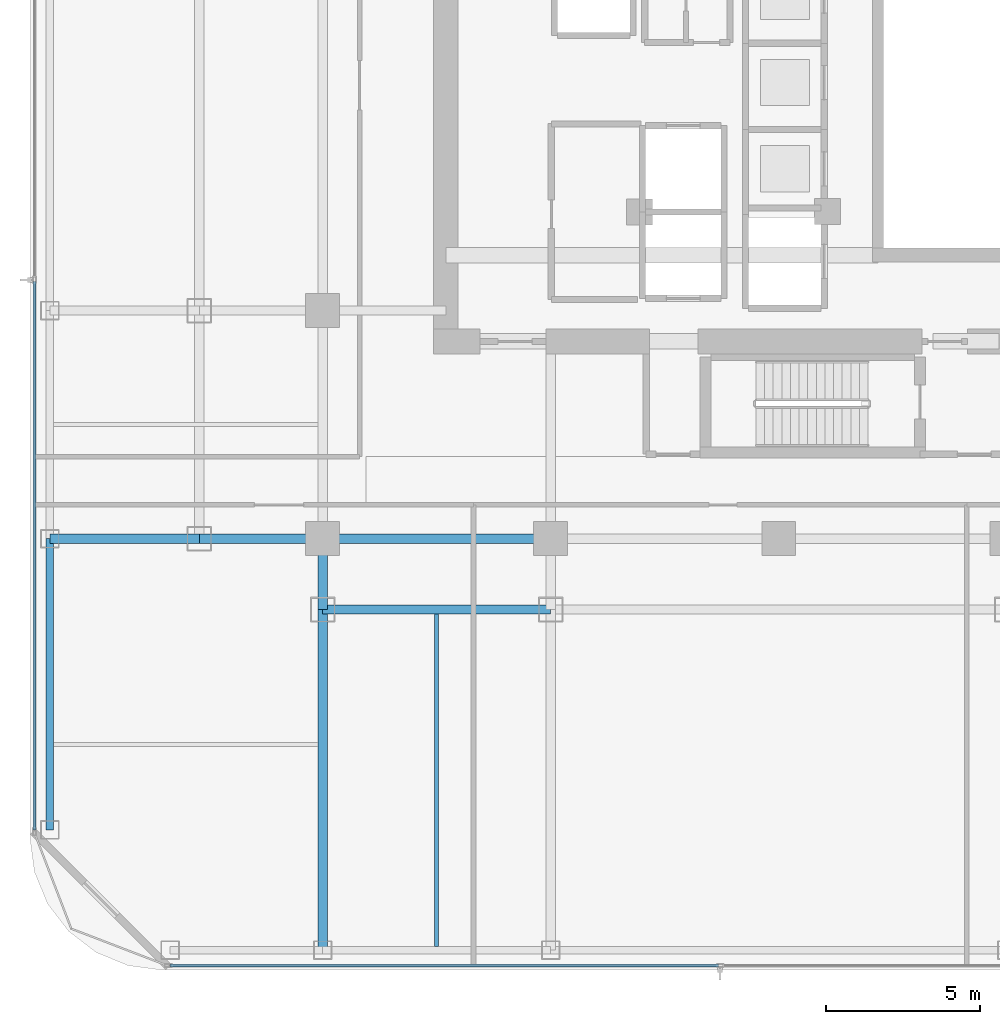
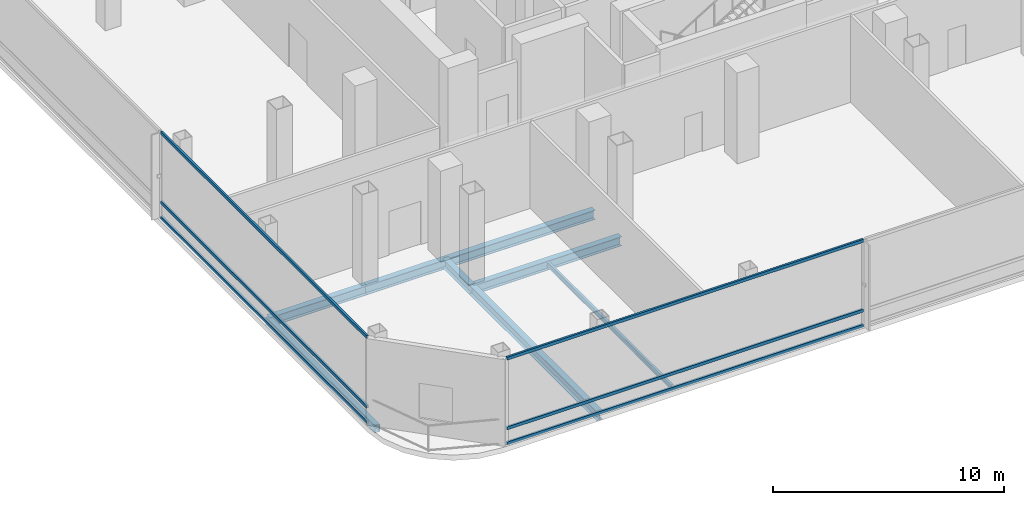
# One storey, part 3 of 22: 8 beams, 6 members, 2 elements without a shape of their own.
"""IFC4 building model written with IfcOpenShell, lengths in metres."""

from ifc_helpers import new_model, si_unit, direction, frame, origin, origin_2d, place, context, subcontext, project, spatial, hollow_rectangle, i_section, extrude, material, layer, layer_set, material_profile, profile_set, type_object, element, aggregate, save


model = new_model("IFC4")

# Units and contexts
model_context = context("Model", 3, precision=1e-05, world=origin(), true_north=direction((0.0, 1.0)))
body_context = subcontext(model_context, "Body", "Model", "MODEL_VIEW")
ifc_project = project(units=[si_unit("LENGTHUNIT", "METRE"), si_unit("AREAUNIT", "SQUARE_METRE"), si_unit("VOLUMEUNIT", "CUBIC_METRE"), si_unit("PLANEANGLEUNIT", "RADIAN"), si_unit("MASSUNIT", "GRAM", prefix="KILO")], contexts=[model_context])

# Site, building, storey
site_placement = place(None, origin())
site = spatial("IfcSite", under=ifc_project, at=site_placement, CompositionType="ELEMENT")
building_placement = place(site_placement, origin())
building = spatial("IfcBuilding", under=site, at=building_placement, Name="Khorvyn Point Tower", CompositionType="ELEMENT")
storey_placement = place(building_placement, frame((0.0, 0.0, 210.89990234375)))
storey = spatial("IfcBuildingStorey", under=building, at=storey_placement, Name="L52", CompositionType="ELEMENT", Elevation=210.89990234375)

# Curtain wall, members
ifc_material_1 = material(Name="Anodised aluminium 6063-T6 and laminated Low-E glass", Category="aluminium")
ifc_layer = layer(ifc_material_1, 0.18994140625)
ifc_layer_set = layer_set([ifc_layer], Name="Stick-Built Sky-Lobby Curtain Wall CW-SYS-05")
curtain_wall_type = type_object("IfcCurtainWallType", Name="Stick-Built Sky-Lobby Curtain Wall CW-SYS-05", PredefinedType="NOTDEFINED", material=ifc_layer_set)
curtain_wall_1_placement = place(storey_placement, origin())
curtain_wall_1 = element("IfcCurtainWall", 1, at=curtain_wall_1_placement, inside=storey, type_object=curtain_wall_type, Name="Curtain Wall", PredefinedType="NOTDEFINED")
ifc_material_2 = material(Name="Anodised aluminium 6063-T6", Category="aluminium")
ifc_material_profile_1 = material_profile(ifc_material_2, hollow_rectangle(XDim=0.10009765625, YDim=0.159912109375, WallThickness=0.00439453125, at=origin_2d()))
ifc_profile_set_1 = profile_set([ifc_material_profile_1], Name="Anodised aluminium 6063-T6 ALU-TRN-100x160")
member_type = type_object("IfcMemberType", Name="Anodised Aluminium 6063-T6 Transom ALU-TRN-100x160", PredefinedType="USERDEFINED", material=ifc_profile_set_1)
member_1_placement = place(storey_placement, frame((-1.949951171875, -28.64990234375, 0.050048828125), z_axis=(-1.0, 0.0, 0.0), x_axis=(0.0, -1.0, 0.0)))
member_1 = element("IfcMember", 2, at=member_1_placement, type_object=member_type, Name="Transom", ObjectType="TRANSOM", PredefinedType="USERDEFINED", context=body_context, shape_type="SweptSolid", body=[
    extrude(hollow_rectangle(XDim=0.10009765625, YDim=0.159912109375, WallThickness=0.00439453125, at=origin_2d()), origin(), (0.0, 0.0, 1.0), 17.800048828125),
])
member_2_placement = place(storey_placement, frame((-1.949951171875, -28.64990234375, 0.85009765625), z_axis=(-1.0, 0.0, 0.0), x_axis=(0.0, -1.0, 0.0)))
member_2 = element("IfcMember", 3, at=member_2_placement, type_object=member_type, Name="Transom", ObjectType="TRANSOM", PredefinedType="USERDEFINED", context=body_context, shape_type="SweptSolid", body=[
    extrude(hollow_rectangle(XDim=0.10009765625, YDim=0.159912109375, WallThickness=0.00439453125, at=origin_2d()), origin(), (0.0, 0.0, 1.0), 17.800048828125),
])
member_3_placement = place(storey_placement, frame((-1.949951171875, -28.64990234375, 4.530029296875), z_axis=(-1.0, 0.0, 0.0), x_axis=(0.0, -1.0, 0.0)))
member_3 = element("IfcMember", 4, at=member_3_placement, type_object=member_type, Name="Transom", ObjectType="TRANSOM", PredefinedType="USERDEFINED", context=body_context, shape_type="SweptSolid", body=[
    extrude(hollow_rectangle(XDim=0.10009765625, YDim=0.159912109375, WallThickness=0.00439453125, at=origin_2d()), origin(), (0.0, 0.0, 1.0), 17.800048828125),
])
aggregate(curtain_wall_1, [member_1, member_2, member_3])

curtain_wall_2_placement = place(storey_placement, origin())
curtain_wall_2 = element("IfcCurtainWall", 5, at=curtain_wall_2_placement, inside=storey, type_object=curtain_wall_type, Name="Curtain Wall", PredefinedType="NOTDEFINED")
member_4_placement = place(storey_placement, frame((-24.14990234375, -24.25, 0.050048828125), z_axis=(0.0, 1.0, 0.0), x_axis=(-1.0, 0.0, 0.0)))
member_4 = element("IfcMember", 6, at=member_4_placement, type_object=member_type, Name="Transom", ObjectType="TRANSOM", PredefinedType="USERDEFINED", context=body_context, shape_type="SweptSolid", body=[
    extrude(hollow_rectangle(XDim=0.10009765625, YDim=0.159912109375, WallThickness=0.00439453125, at=origin_2d()), origin(), (0.0, 0.0, 1.0), 17.800048828125),
])
member_5_placement = place(storey_placement, frame((-24.14990234375, -24.25, 0.85009765625), z_axis=(0.0, 1.0, 0.0), x_axis=(-1.0, 0.0, 0.0)))
member_5 = element("IfcMember", 7, at=member_5_placement, type_object=member_type, Name="Transom", ObjectType="TRANSOM", PredefinedType="USERDEFINED", context=body_context, shape_type="SweptSolid", body=[
    extrude(hollow_rectangle(XDim=0.10009765625, YDim=0.159912109375, WallThickness=0.00439453125, at=origin_2d()), origin(), (0.0, 0.0, 1.0), 17.800048828125),
])
member_6_placement = place(storey_placement, frame((-24.14990234375, -24.25, 4.530029296875), z_axis=(0.0, 1.0, 0.0), x_axis=(-1.0, 0.0, 0.0)))
member_6 = element("IfcMember", 8, at=member_6_placement, type_object=member_type, Name="Transom", ObjectType="TRANSOM", PredefinedType="USERDEFINED", context=body_context, shape_type="SweptSolid", body=[
    extrude(hollow_rectangle(XDim=0.10009765625, YDim=0.159912109375, WallThickness=0.00439453125, at=origin_2d()), origin(), (0.0, 0.0, 1.0), 17.800048828125),
])
aggregate(curtain_wall_2, [member_4, member_5, member_6])

# Beams
ifc_material_3 = material(Name="Steel S355", Category="steel")
ifc_material_profile_2 = material_profile(ifc_material_3, i_section(OverallWidth=0.125, OverallDepth=0.25, WebThickness=0.006103515625, FlangeThickness=0.009033203125, at=origin_2d()))
ifc_profile_set_2 = profile_set([ifc_material_profile_2], Name="Steel S355 H250x125x6x9")
beam_type_1 = type_object("IfcBeamType", Name="Steel S355 Joist H250x125x6x9", PredefinedType="JOIST", material=ifc_profile_set_2)
beam_1_placement = place(storey_placement, frame((-11.10009765625, -28.02490234375, -0.40478515625), z_axis=(0.0, 1.0, 0.0), x_axis=(-1.0, 0.0, 0.0)))
element("IfcBeam", 9, at=beam_1_placement, inside=storey, type_object=beam_type_1, Name="Beam", PredefinedType="JOIST", context=body_context, shape_type="SweptSolid", body=[
    extrude(i_section(OverallWidth=0.125, OverallDepth=0.25, WebThickness=0.006103515625, FlangeThickness=0.009033203125, at=origin_2d()), origin(), (0.0, 0.0, 1.0), 10.77490234375),
])
ifc_material_profile_3 = material_profile(ifc_material_3, i_section(OverallWidth=0.300048828125, OverallDepth=0.488037109375, WebThickness=0.010986328125, FlangeThickness=0.01806640625, at=origin_2d()))
ifc_profile_set_3 = profile_set([ifc_material_profile_3], Name="Steel S355 H488x300x11x18")
beam_type_2 = type_object("IfcBeamType", Name="Steel S355 Spandrel H488x300x11x18", PredefinedType="SPANDREL", material=ifc_profile_set_3)
beam_2_placement = place(storey_placement, frame((-23.64990234375, -14.800048828125, -0.52392578125), z_axis=(1.0, 0.0, 0.0), x_axis=(0.0, 1.0, 0.0)))
element("IfcBeam", 10, at=beam_2_placement, inside=storey, type_object=beam_type_2, Name="Beam", PredefinedType="SPANDREL", context=body_context, shape_type="SweptSolid", body=[
    extrude(i_section(OverallWidth=0.300048828125, OverallDepth=0.488037109375, WebThickness=0.010986328125, FlangeThickness=0.01806640625, at=origin_2d()), origin(), (0.0, 0.0, 1.0), 4.849853515625),
])
beam_3_placement = place(storey_placement, frame((-18.800048828125, -14.800048828125, -0.52392578125), z_axis=(1.0, 0.0, 0.0), x_axis=(0.0, 1.0, 0.0)))
element("IfcBeam", 11, at=beam_3_placement, inside=storey, type_object=beam_type_2, Name="Beam", PredefinedType="SPANDREL", context=body_context, shape_type="SweptSolid", body=[
    extrude(i_section(OverallWidth=0.300048828125, OverallDepth=0.488037109375, WebThickness=0.010986328125, FlangeThickness=0.01806640625, at=origin_2d()), origin(), (0.0, 0.0, 1.0), 4.0),
])
for number, where, z_axis, x_axis, name in (
    (12, (-14.800048828125, -14.800048828125, -0.52392578125), (1.0, 0.0, 0.0), (0.0, 1.0, 0.0), "Beam"),
    (13, (-14.800048828125, -17.10009765625, -0.52392578125), (1.0, 0.0, 0.0), (0.0, 1.0, 0.0), "Beam"),
):
    element("IfcBeam", number, at=place(storey_placement, frame(where, z_axis=z_axis, x_axis=x_axis)), inside=storey, type_object=beam_type_2, Name=name, PredefinedType="SPANDREL", context=body_context, shape_type="SweptSolid", body=[
        extrude(i_section(OverallWidth=0.300048828125, OverallDepth=0.488037109375, WebThickness=0.010986328125, FlangeThickness=0.01806640625, at=origin_2d()), origin(), (0.0, 0.0, 1.0), 7.400146484375),
    ])
beam_4_placement = place(storey_placement, frame((-14.800048828125, -28.14990234375, -0.52392578125), z_axis=(0.0, 1.0, 0.0), x_axis=(-1.0, 0.0, 0.0)))
element("IfcBeam", 14, at=beam_4_placement, inside=storey, type_object=beam_type_2, Name="Beam", PredefinedType="SPANDREL", context=body_context, shape_type="SweptSolid", body=[
    extrude(i_section(OverallWidth=0.300048828125, OverallDepth=0.488037109375, WebThickness=0.010986328125, FlangeThickness=0.01806640625, at=origin_2d()), origin(), (0.0, 0.0, 1.0), 11.0498046875),
])
beam_5_placement = place(storey_placement, frame((-14.800048828125, -17.10009765625, -0.52392578125), z_axis=(0.0, 1.0, 0.0), x_axis=(-1.0, 0.0, 0.0)))
element("IfcBeam", 15, at=beam_5_placement, inside=storey, type_object=beam_type_2, Name="Beam", PredefinedType="SPANDREL", context=body_context, shape_type="SweptSolid", body=[
    extrude(i_section(OverallWidth=0.300048828125, OverallDepth=0.488037109375, WebThickness=0.010986328125, FlangeThickness=0.01806640625, at=origin_2d()), origin(), (0.0, 0.0, 1.0), 2.300048828125),
])
ifc_material_profile_4 = material_profile(ifc_material_3, hollow_rectangle(XDim=0.25, YDim=0.39990234375, WallThickness=0.01611328125, at=origin_2d()))
ifc_profile_set_4 = profile_set([ifc_material_profile_4], Name="Steel S355 RHS400x250x16")
beam_type_3 = type_object("IfcBeamType", Name="Steel S355 Spandrel RHS400x250x16", PredefinedType="SPANDREL", material=ifc_profile_set_4)
beam_6_placement = place(storey_placement, frame((-23.64990234375, -24.25, -0.47998046875), z_axis=(0.0, 1.0, 0.0), x_axis=(-1.0, 0.0, 0.0)))
element("IfcBeam", 16, at=beam_6_placement, inside=storey, type_object=beam_type_3, Name="Beam", PredefinedType="SPANDREL", context=body_context, shape_type="SweptSolid", body=[
    extrude(hollow_rectangle(XDim=0.25, YDim=0.39990234375, WallThickness=0.01611328125, at=origin_2d()), origin(), (0.0, 0.0, 1.0), 9.449951171875),
])

save(model, "model.ifc")
